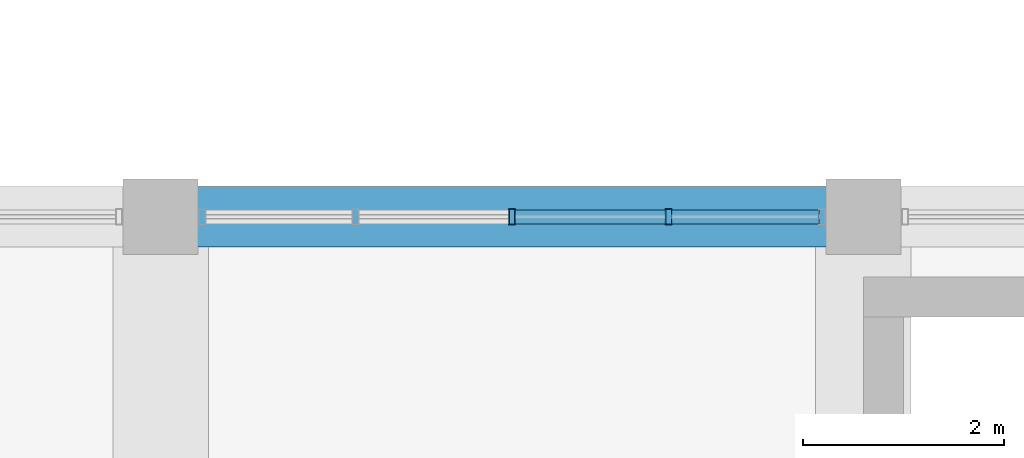
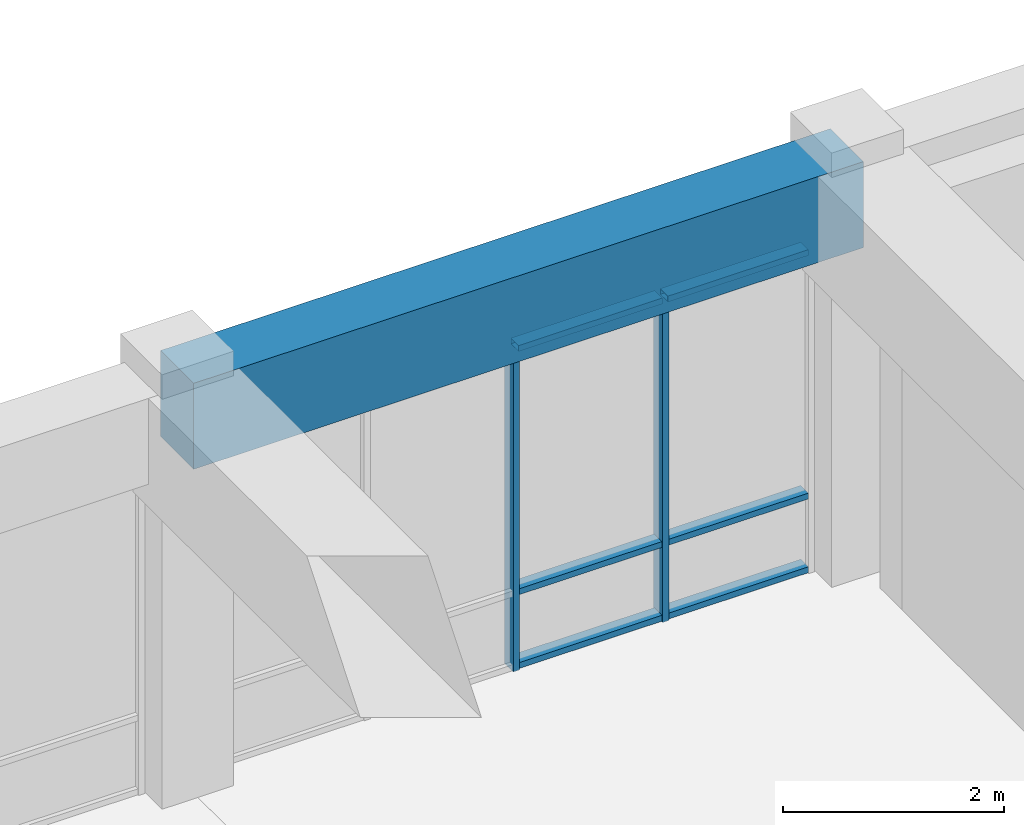
# One storey, part 58 of 99: 8 members, 1 beam, 1 element without a shape of its own.
"""IFC4 building model written with IfcOpenShell, lengths in metres."""

from ifc_helpers import new_model, si_unit, direction, frame, origin, origin_2d, place, context, subcontext, project, spatial, rectangle, hollow_rectangle, extrude, material, layer, layer_set, material_profile, profile_set, type_object, element, aggregate, save


model = new_model("IFC4")

# Units and contexts
model_context = context("Model", 3, precision=1e-05, world=origin(), true_north=direction((0.0, 1.0)))
body_context = subcontext(model_context, "Body", "Model", "MODEL_VIEW")
ifc_project = project(units=[si_unit("LENGTHUNIT", "METRE"), si_unit("AREAUNIT", "SQUARE_METRE"), si_unit("VOLUMEUNIT", "CUBIC_METRE"), si_unit("PLANEANGLEUNIT", "RADIAN"), si_unit("MASSUNIT", "GRAM", prefix="KILO")], contexts=[model_context])

# Site, building, storey
site_placement = place(None, origin())
site = spatial("IfcSite", under=ifc_project, at=site_placement, CompositionType="ELEMENT")
building_placement = place(site_placement, origin())
building = spatial("IfcBuilding", under=site, at=building_placement, Name="Ventoquebrada Cableway Terminal", CompositionType="ELEMENT")
storey_placement = place(building_placement, frame((0.0, 0.0, 9.60009765625)))
storey = spatial("IfcBuildingStorey", under=building, at=storey_placement, Name="L02", CompositionType="ELEMENT", Elevation=9.60009765625)

# Beam
ifc_material_1 = material(Name="Concrete C40/50", Category="concrete")
ifc_material_profile_1 = material_profile(ifc_material_1, rectangle(XDim=0.60009765625, YDim=0.949951171875, at=origin_2d()), Name="RC-BM-600X950")
ifc_profile_set_1 = profile_set([ifc_material_profile_1], Name="Concrete C40/50")
beam_type = type_object("IfcBeamType", Name="BM-RC05", PredefinedType="BEAM", material=ifc_profile_set_1)
beam_placement = place(storey_placement, frame((109.0, 104.0, 4.054931640625), z_axis=(1.0, 0.0, 0.0), x_axis=(0.0, 1.0, 0.0)))
element("IfcBeam", 1, at=beam_placement, inside=storey, type_object=beam_type, Name="Perimeter spandrel beam FBM-0678", PredefinedType="BEAM", context=body_context, shape_type="SweptSolid", body=[
    extrude(rectangle(XDim=0.60009765625, YDim=0.949951171875, at=origin_2d()), origin(), (0.0, 0.0, 1.0), 7.0),
])

# Curtain wall, members
ifc_material_2 = material(Name="Anodized thermally-broken aluminium", Category="aluminium")
ifc_layer = layer(ifc_material_2, 0.159912109375)
ifc_layer_set = layer_set([ifc_layer], Name="Anodized thermally-broken aluminium")
curtain_wall_type = type_object("IfcCurtainWallType", Name="CW-T29", PredefinedType="USERDEFINED", material=ifc_layer_set)
curtain_wall_placement = place(storey_placement, origin())
curtain_wall = element("IfcCurtainWall", 2, at=curtain_wall_placement, inside=storey, type_object=curtain_wall_type, Name="Unitised glazed curtain wall CW-071", ObjectType="UNITISED CURTAIN WALL", PredefinedType="USERDEFINED")
ifc_material_profile_2 = material_profile(ifc_material_2, hollow_rectangle(XDim=0.06494140625, YDim=0.159912109375, WallThickness=0.00390625, at=origin_2d()), Name="CW-MUL-65X160")
ifc_profile_set_2 = profile_set([ifc_material_profile_2], Name="Anodized thermally-broken aluminium")
member_type_1 = type_object("IfcMemberType", Name="CWM-01", PredefinedType="MULLION", material=ifc_profile_set_2)
member_1_placement = place(storey_placement, frame((114.06005859375, 104.0, -0.008056640625), z_axis=(0.0, 0.0, 1.0), x_axis=(-1.0, 0.0, 0.0)))
member_1 = element("IfcMember", 3, at=member_1_placement, type_object=member_type_1, Name="Curtain wall mullion FML-0331", PredefinedType="MULLION", context=body_context, shape_type="SweptSolid", body=[
    extrude(hollow_rectangle(XDim=0.06494140625, YDim=0.159912109375, WallThickness=0.00390625, at=origin_2d()), origin(), (0.0, 0.0, 1.0), 3.587890625),
])
member_2_placement = place(storey_placement, frame((112.5, 104.0, -0.008056640625), z_axis=(0.0, 0.0, 1.0), x_axis=(-1.0, 0.0, 0.0)))
member_2 = element("IfcMember", 4, at=member_2_placement, type_object=member_type_1, Name="Curtain wall mullion FML-0332", PredefinedType="MULLION", context=body_context, shape_type="SweptSolid", body=[
    extrude(hollow_rectangle(XDim=0.06494140625, YDim=0.159912109375, WallThickness=0.00390625, at=origin_2d()), origin(), (0.0, 0.0, 1.0), 3.587890625),
])
ifc_material_profile_3 = material_profile(ifc_material_2, hollow_rectangle(XDim=0.06494140625, YDim=0.139892578125, WallThickness=0.00390625, at=origin_2d()), Name="CW-TRN-65X140")
ifc_profile_set_3 = profile_set([ifc_material_profile_3], Name="Anodized thermally-broken aluminium")
member_type_2 = type_object("IfcMemberType", Name="CWT-01", PredefinedType="USERDEFINED", material=ifc_profile_set_3)
member_3_placement = place(storey_placement, frame((115.55810546875, 104.0, 0.034912109375), z_axis=(-1.0, 0.0, 0.0), x_axis=(0.0, 0.0, 1.0)))
member_3 = element("IfcMember", 5, at=member_3_placement, type_object=member_type_2, Name="Curtain wall transom FTR-0952", ObjectType="TRANSOM", PredefinedType="USERDEFINED", context=body_context, shape_type="SweptSolid", body=[
    extrude(hollow_rectangle(XDim=0.06494140625, YDim=0.139892578125, WallThickness=0.00390625, at=origin_2d()), origin(), (0.0, 0.0, 1.0), 1.47021484375),
])
member_4_placement = place(storey_placement, frame((115.55810546875, 104.0, 0.849853515625), z_axis=(-1.0, 0.0, 0.0), x_axis=(0.0, 0.0, 1.0)))
member_4 = element("IfcMember", 6, at=member_4_placement, type_object=member_type_2, Name="Curtain wall transom FTR-0953", ObjectType="TRANSOM", PredefinedType="USERDEFINED", context=body_context, shape_type="SweptSolid", body=[
    extrude(hollow_rectangle(XDim=0.06494140625, YDim=0.139892578125, WallThickness=0.00390625, at=origin_2d()), origin(), (0.0, 0.0, 1.0), 1.47021484375),
])
member_5_placement = place(storey_placement, frame((115.55810546875, 104.0, 3.539794921875), z_axis=(-1.0, 0.0, 0.0), x_axis=(0.0, 0.0, 1.0)))
member_5 = element("IfcMember", 7, at=member_5_placement, type_object=member_type_2, Name="Curtain wall transom FTR-0954", ObjectType="TRANSOM", PredefinedType="USERDEFINED", context=body_context, shape_type="SweptSolid", body=[
    extrude(hollow_rectangle(XDim=0.06494140625, YDim=0.139892578125, WallThickness=0.00390625, at=origin_2d()), origin(), (0.0, 0.0, 1.0), 1.47021484375),
])
member_6_placement = place(storey_placement, frame((114.031982421875, 104.0, 0.034912109375), z_axis=(-1.0, 0.0, 0.0), x_axis=(0.0, 0.0, 1.0)))
member_6 = element("IfcMember", 8, at=member_6_placement, type_object=member_type_2, Name="Curtain wall transom FTR-0955", ObjectType="TRANSOM", PredefinedType="USERDEFINED", context=body_context, shape_type="SweptSolid", body=[
    extrude(hollow_rectangle(XDim=0.06494140625, YDim=0.139892578125, WallThickness=0.00390625, at=origin_2d()), origin(), (0.0, 0.0, 1.0), 1.50390625),
])
member_7_placement = place(storey_placement, frame((114.031982421875, 104.0, 0.849853515625), z_axis=(-1.0, 0.0, 0.0), x_axis=(0.0, 0.0, 1.0)))
member_7 = element("IfcMember", 9, at=member_7_placement, type_object=member_type_2, Name="Curtain wall transom FTR-0956", ObjectType="TRANSOM", PredefinedType="USERDEFINED", context=body_context, shape_type="SweptSolid", body=[
    extrude(hollow_rectangle(XDim=0.06494140625, YDim=0.139892578125, WallThickness=0.00390625, at=origin_2d()), origin(), (0.0, 0.0, 1.0), 1.50390625),
])
member_8_placement = place(storey_placement, frame((114.031982421875, 104.0, 3.539794921875), z_axis=(-1.0, 0.0, 0.0), x_axis=(0.0, 0.0, 1.0)))
member_8 = element("IfcMember", 10, at=member_8_placement, type_object=member_type_2, Name="Curtain wall transom FTR-0957", ObjectType="TRANSOM", PredefinedType="USERDEFINED", context=body_context, shape_type="SweptSolid", body=[
    extrude(hollow_rectangle(XDim=0.06494140625, YDim=0.139892578125, WallThickness=0.00390625, at=origin_2d()), origin(), (0.0, 0.0, 1.0), 1.50390625),
])
aggregate(curtain_wall, [member_1, member_2, member_3, member_4, member_5, member_6, member_7, member_8])

save(model, "model.ifc")
